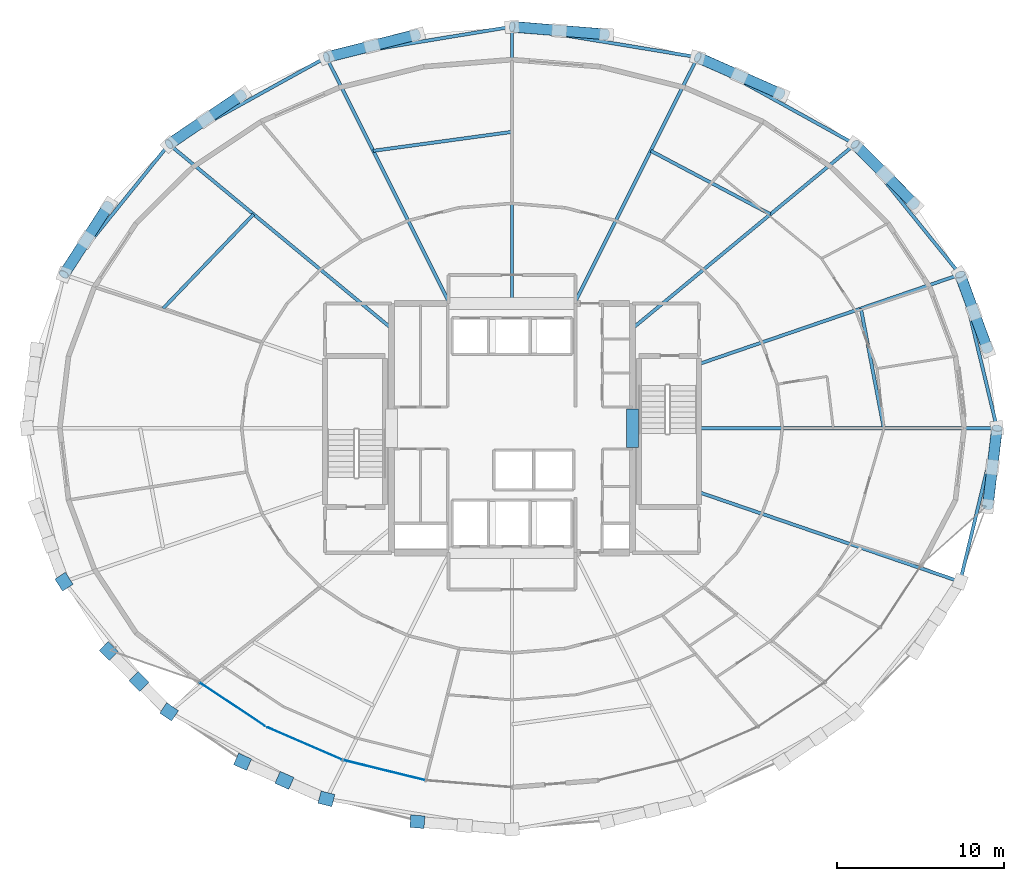
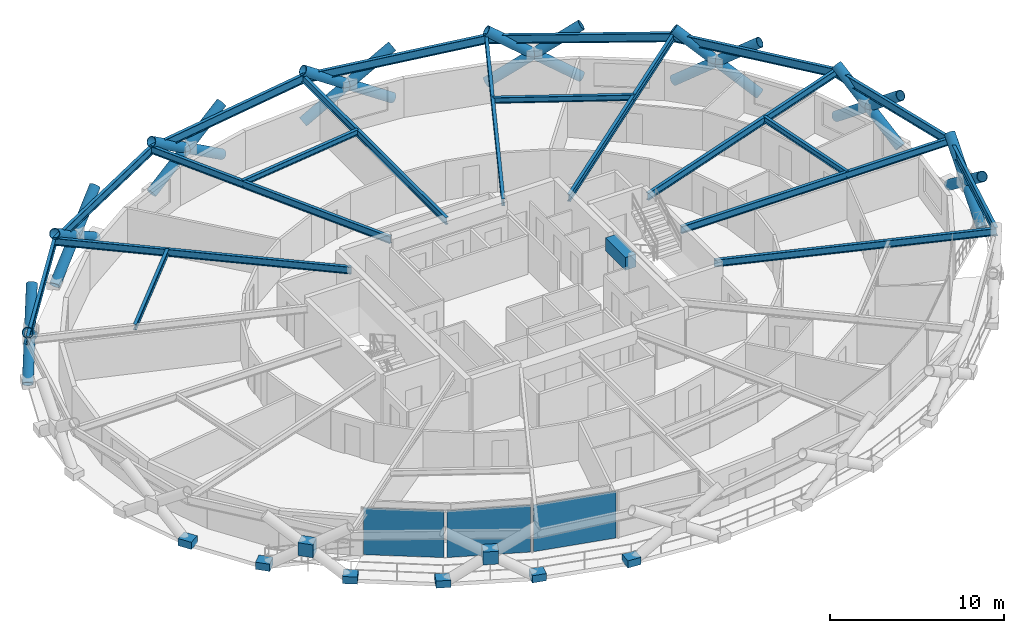
# One storey, part 11 of 19: 24 members, 21 beams, 11 plates, 1 element without a shape of its own.
"""IFC4 building model written with IfcOpenShell, lengths in metres."""

from ifc_helpers import new_model, si_unit, direction, frame, origin, origin_2d, place, context, subcontext, project, spatial, rectangle, hollow_circle, i_section, extrude, material, layer, layer_set, material_profile, profile_set, type_object, element, aggregate, save


model = new_model("IFC4")

# Units and contexts
model_context = context("Model", 3, precision=1e-05, world=origin(), true_north=direction((0.0, 1.0)))
body_context = subcontext(model_context, "Body", "Model", "MODEL_VIEW")
ifc_project = project(units=[si_unit("LENGTHUNIT", "METRE"), si_unit("AREAUNIT", "SQUARE_METRE"), si_unit("VOLUMEUNIT", "CUBIC_METRE"), si_unit("PLANEANGLEUNIT", "RADIAN"), si_unit("MASSUNIT", "GRAM", prefix="KILO")], contexts=[model_context])

# Site, building, storey
site_placement = place(None, origin())
site = spatial("IfcSite", under=ifc_project, at=site_placement, CompositionType="ELEMENT")
building_placement = place(site_placement, origin())
building = spatial("IfcBuilding", under=site, at=building_placement, Name="Veldorina Hangang Commons", CompositionType="ELEMENT")
storey_placement = place(building_placement, frame((0.0, 0.0, 77.199951171875)))
storey = spatial("IfcBuildingStorey", under=building, at=storey_placement, Name="L19", CompositionType="ELEMENT", Elevation=77.199951171875)

# Beams
ifc_material_1 = material(Name="Concrete C70/85", Category="concrete")
ifc_material_profile_1 = material_profile(ifc_material_1, rectangle(XDim=0.699951171875, YDim=0.89990234375, at=origin_2d()), Name="RC-CB-700x900")
ifc_profile_set_1 = profile_set([ifc_material_profile_1], Name="Concrete C70/85")
beam_type_1 = type_object("IfcBeamType", Name="BM-CB900", PredefinedType="LINTEL", material=ifc_profile_set_1)
beam_1_placement = place(storey_placement, frame((39.199951171875, 22.85009765625, 2.89013671875), z_axis=(0.0, 1.0, 0.0), x_axis=(-1.0, 0.0, 0.0)))
element("IfcBeam", 1, at=beam_1_placement, inside=storey, type_object=beam_type_1, Name="L19 E core coupling lintel beam", PredefinedType="LINTEL", context=body_context, shape_type="SweptSolid", body=[
    extrude(rectangle(XDim=0.699951171875, YDim=0.89990234375, at=origin_2d()), origin(), (0.0, 0.0, 1.0), 2.2998046875),
])
ifc_material_2 = material(Name="Steel SM420-TMC", Category="steel")
ifc_material_profile_2 = material_profile(ifc_material_2, i_section(OverallWidth=0.199951171875, OverallDepth=0.5, WebThickness=0.010009765625, FlangeThickness=0.01611328125, FilletRadius=0.01611328125, at=origin_2d()), Name="H-500x200x10x16")
ifc_profile_set_2 = profile_set([ifc_material_profile_2], Name="Steel SM420-TMC")
beam_type_2 = type_object("IfcBeamType", Name="BM-FG500", PredefinedType="BEAM", material=ifc_profile_set_2)
beam_2_placement = place(storey_placement, frame((43.179931640625, 24.0, 3.090087890625), z_axis=(1.0, 0.0, 0.0), x_axis=(0.0, 1.0, 0.0)))
element("IfcBeam", 2, at=beam_2_placement, inside=storey, type_object=beam_type_2, Name="L19 radial floor girder 01", PredefinedType="BEAM", context=body_context, shape_type="SweptSolid", body=[
    extrude(i_section(OverallWidth=0.199951171875, OverallDepth=0.5, WebThickness=0.010009765625, FlangeThickness=0.01611328125, FilletRadius=0.01611328125, at=origin_2d()), origin(), (0.0, 0.0, 1.0), 17.818603515625),
])
beam_3_placement = place(storey_placement, frame((43.179931640625, 27.83251953125, 3.090087890625), z_axis=(0.94596552532, 0.324267212197, 0.0), x_axis=(-0.324267212197, 0.94596552532, 0.0)))
element("IfcBeam", 3, at=beam_3_placement, inside=storey, type_object=beam_type_2, Name="L19 radial floor girder 02", PredefinedType="BEAM", context=body_context, shape_type="SweptSolid", body=[
    extrude(i_section(OverallWidth=0.199951171875, OverallDepth=0.5, WebThickness=0.010009765625, FlangeThickness=0.01611328125, FilletRadius=0.01611328125, at=origin_2d()), origin(), (0.0, 0.0, 1.0), 16.502685546875),
])
beam_4_placement = place(storey_placement, frame((39.199951171875, 29.95849609375, 3.090087890625), z_axis=(0.770399827966, 0.637561059876, 0.0), x_axis=(-0.637561059876, 0.770399827966, 0.0)))
element("IfcBeam", 4, at=beam_4_placement, inside=storey, type_object=beam_type_2, Name="L19 radial floor girder 03", PredefinedType="BEAM", context=body_context, shape_type="SweptSolid", body=[
    extrude(i_section(OverallWidth=0.199951171875, OverallDepth=0.5, WebThickness=0.010009765625, FlangeThickness=0.01611328125, FilletRadius=0.01611328125, at=origin_2d()), origin(), (0.0, 0.0, 1.0), 17.2705078125),
])
beam_5_placement = place(storey_placement, frame((35.728759765625, 31.449951171875, 3.090087890625), z_axis=(0.447581339317, 0.894243224573, 0.0), x_axis=(-0.894243224573, 0.447581339317, 0.0)))
element("IfcBeam", 5, at=beam_5_placement, inside=storey, type_object=beam_type_2, Name="L19 radial floor girder 04", PredefinedType="BEAM", context=body_context, shape_type="SweptSolid", body=[
    extrude(i_section(OverallWidth=0.199951171875, OverallDepth=0.5, WebThickness=0.010009765625, FlangeThickness=0.01611328125, FilletRadius=0.01611328125, at=origin_2d()), origin(), (0.0, 0.0, 1.0), 16.462646484375),
])
beam_6_placement = place(storey_placement, frame((32.0, 31.449951171875, 3.090087890625), z_axis=(0.0, 1.0, 0.0), x_axis=(-1.0, 0.0, 0.0)))
element("IfcBeam", 6, at=beam_6_placement, inside=storey, type_object=beam_type_2, Name="L19 radial floor girder 05", PredefinedType="BEAM", context=body_context, shape_type="SweptSolid", body=[
    extrude(i_section(OverallWidth=0.199951171875, OverallDepth=0.5, WebThickness=0.010009765625, FlangeThickness=0.01611328125, FilletRadius=0.01611328125, at=origin_2d()), origin(), (0.0, 0.0, 1.0), 16.548583984375),
])
beam_7_placement = place(storey_placement, frame((28.271240234375, 31.449951171875, 3.090087890625), z_axis=(-0.447581339317, 0.894243224573, 0.0), x_axis=(-0.894243224573, -0.447581339317, 0.0)))
element("IfcBeam", 7, at=beam_7_placement, inside=storey, type_object=beam_type_2, Name="L19 radial floor girder 06", PredefinedType="BEAM", context=body_context, shape_type="SweptSolid", body=[
    extrude(i_section(OverallWidth=0.199951171875, OverallDepth=0.5, WebThickness=0.010009765625, FlangeThickness=0.01611328125, FilletRadius=0.01611328125, at=origin_2d()), origin(), (0.0, 0.0, 1.0), 16.462646484375),
])
beam_8_placement = place(storey_placement, frame((24.800048828125, 29.95849609375, 3.090087890625), z_axis=(-0.770399827966, 0.637561059876, 0.0), x_axis=(-0.637561059876, -0.770399827966, 0.0)))
element("IfcBeam", 8, at=beam_8_placement, inside=storey, type_object=beam_type_2, Name="L19 radial floor girder 07", PredefinedType="BEAM", context=body_context, shape_type="SweptSolid", body=[
    extrude(i_section(OverallWidth=0.199951171875, OverallDepth=0.5, WebThickness=0.010009765625, FlangeThickness=0.01611328125, FilletRadius=0.01611328125, at=origin_2d()), origin(), (0.0, 0.0, 1.0), 17.2705078125),
])
beam_9_placement = place(storey_placement, frame((43.179931640625, 20.16748046875, 3.090087890625), z_axis=(0.94596552532, -0.324267212197, 0.0), x_axis=(0.324267212197, 0.94596552532, 0.0)))
element("IfcBeam", 9, at=beam_9_placement, inside=storey, type_object=beam_type_2, Name="L19 radial floor girder 16", PredefinedType="BEAM", context=body_context, shape_type="SweptSolid", body=[
    extrude(i_section(OverallWidth=0.199951171875, OverallDepth=0.5, WebThickness=0.010009765625, FlangeThickness=0.01611328125, FilletRadius=0.01611328125, at=origin_2d()), origin(), (0.0, 0.0, 1.0), 16.502685546875),
])
ifc_material_3 = material(Name="Steel SM355-TMC", Category="steel")
ifc_material_profile_3 = material_profile(ifc_material_3, i_section(OverallWidth=0.199951171875, OverallDepth=0.39990234375, WebThickness=0.008056640625, FlangeThickness=0.012939453125, FilletRadius=0.012939453125, at=origin_2d()), Name="H-400x200x8x13")
ifc_profile_set_3 = profile_set([ifc_material_profile_3], Name="Steel SM355-TMC")
beam_type_3 = type_object("IfcBeamType", Name="BM-JST400", PredefinedType="JOIST", material=ifc_profile_set_3)
beam_10_placement = place(storey_placement, frame((54.2275390625, 24.0, 3.14013671875), z_axis=(-0.187996560469, 0.982169686588, 0.0), x_axis=(-0.982169686588, -0.187996560469, 0.0)))
element("IfcBeam", 10, at=beam_10_placement, inside=storey, type_object=beam_type_3, Name="L19 secondary floor joist 01", PredefinedType="JOIST", context=body_context, shape_type="SweptSolid", body=[
    extrude(i_section(OverallWidth=0.199951171875, OverallDepth=0.39990234375, WebThickness=0.008056640625, FlangeThickness=0.012939453125, FilletRadius=0.012939453125, at=origin_2d()), origin(), (0.0, 0.0, 1.0), 7.2802734375),
])
beam_11_placement = place(storey_placement, frame((47.44921875, 36.785400390625, 3.14013671875), z_axis=(-0.883502384403, 0.468426661019, 0.0), x_axis=(-0.468426661019, -0.883502384403, 0.0)))
element("IfcBeam", 11, at=beam_11_placement, inside=storey, type_object=beam_type_3, Name="L19 secondary floor joist 03", PredefinedType="JOIST", context=body_context, shape_type="SweptSolid", body=[
    extrude(i_section(OverallWidth=0.199951171875, OverallDepth=0.39990234375, WebThickness=0.008056640625, FlangeThickness=0.012939453125, FilletRadius=0.012939453125, at=origin_2d()), origin(), (0.0, 0.0, 1.0), 8.09521484375),
])
beam_12_placement = place(storey_placement, frame((32.0, 41.710205078125, 3.14013671875), z_axis=(-0.990807978527, -0.13527582817, 0.0), x_axis=(0.13527582817, -0.990807978527, 0.0)))
element("IfcBeam", 12, at=beam_12_placement, inside=storey, type_object=beam_type_3, Name="L19 secondary floor joist 05", PredefinedType="JOIST", context=body_context, shape_type="SweptSolid", body=[
    extrude(i_section(OverallWidth=0.199951171875, OverallDepth=0.39990234375, WebThickness=0.008056640625, FlangeThickness=0.012939453125, FilletRadius=0.012939453125, at=origin_2d()), origin(), (0.0, 0.0, 1.0), 8.3740234375),
])
beam_13_placement = place(storey_placement, frame((16.55078125, 36.785400390625, 3.14013671875), z_axis=(-0.692535731731, -0.721383573611, 0.0), x_axis=(0.721383573611, -0.692535731731, 0.0)))
element("IfcBeam", 13, at=beam_13_placement, inside=storey, type_object=beam_type_3, Name="L19 secondary floor joist 07", PredefinedType="JOIST", context=body_context, shape_type="SweptSolid", body=[
    extrude(i_section(OverallWidth=0.199951171875, OverallDepth=0.39990234375, WebThickness=0.008056640625, FlangeThickness=0.012939453125, FilletRadius=0.012939453125, at=origin_2d()), origin(), (0.0, 0.0, 1.0), 7.811279296875),
])
ifc_material_profile_4 = material_profile(ifc_material_2, i_section(OverallWidth=0.199951171875, OverallDepth=0.60009765625, WebThickness=0.010986328125, FlangeThickness=0.01708984375, FilletRadius=0.01806640625, at=origin_2d()), Name="H-600x200x11x17")
ifc_profile_set_4 = profile_set([ifc_material_profile_4], Name="Steel SM420-TMC")
beam_type_4 = type_object("IfcBeamType", Name="BM-RB600", PredefinedType="BEAM", material=ifc_profile_set_4)
beam_14_placement = place(storey_placement, frame((60.99853515625, 24.0, 3.0400390625), z_axis=(-0.233713139846, 0.972305594072, 0.0), x_axis=(-0.972305594072, -0.233713139846, 0.0)))
element("IfcBeam", 14, at=beam_14_placement, inside=storey, type_object=beam_type_4, Name="L19 perimeter hoop ring beam 00", PredefinedType="BEAM", context=body_context, shape_type="SweptSolid", body=[
    extrude(i_section(OverallWidth=0.199951171875, OverallDepth=0.60009765625, WebThickness=0.010986328125, FlangeThickness=0.01708984375, FilletRadius=0.01806640625, at=origin_2d()), origin(), (0.0, 0.0, 1.0), 9.4453125),
])
beam_15_placement = place(storey_placement, frame((58.791015625, 33.183837890625, 3.0400390625), z_axis=(-0.628184894651, 0.778064096416, 0.0), x_axis=(-0.778064096416, -0.628184894651, 0.0)))
element("IfcBeam", 15, at=beam_15_placement, inside=storey, type_object=beam_type_4, Name="L19 perimeter hoop ring beam 02", PredefinedType="BEAM", context=body_context, shape_type="SweptSolid", body=[
    extrude(i_section(OverallWidth=0.199951171875, OverallDepth=0.60009765625, WebThickness=0.010986328125, FlangeThickness=0.01708984375, FilletRadius=0.01806640625, at=origin_2d()), origin(), (0.0, 0.0, 1.0), 10.00634765625),
])
beam_16_placement = place(storey_placement, frame((52.505126953125, 40.969482421875, 3.0400390625), z_axis=(-0.875122851808, 0.483900810336, 0.0), x_axis=(-0.483900810336, -0.875122851808, 0.0)))
element("IfcBeam", 16, at=beam_16_placement, inside=storey, type_object=beam_type_4, Name="L19 perimeter hoop ring beam 04", PredefinedType="BEAM", context=body_context, shape_type="SweptSolid", body=[
    extrude(i_section(OverallWidth=0.199951171875, OverallDepth=0.60009765625, WebThickness=0.010986328125, FlangeThickness=0.01708984375, FilletRadius=0.01806640625, at=origin_2d()), origin(), (0.0, 0.0, 1.0), 10.75048828125),
])
for number, where, z_axis, x_axis, name in (
    (17, (43.09716796875, 46.171630859375, 3.0400390625), (-0.986718189619, 0.162441417981, 0.0), (-0.162441417981, -0.986718189619, 0.0), "L19 perimeter hoop ring beam 06"),
    (18, (32.0, 47.99853515625, 3.0400390625), (-0.986718189619, -0.162441417981, 0.0), (0.162441417981, -0.986718189619, 0.0), "L19 perimeter hoop ring beam 08"),
):
    element("IfcBeam", number, at=place(storey_placement, frame(where, z_axis=z_axis, x_axis=x_axis)), inside=storey, type_object=beam_type_4, Name=name, PredefinedType="BEAM", context=body_context, shape_type="SweptSolid", body=[
        extrude(i_section(OverallWidth=0.199951171875, OverallDepth=0.60009765625, WebThickness=0.010986328125, FlangeThickness=0.01708984375, FilletRadius=0.01806640625, at=origin_2d()), origin(), (0.0, 0.0, 1.0), 11.24658203125),
    ])
beam_17_placement = place(storey_placement, frame((20.90283203125, 46.171630859375, 3.0400390625), z_axis=(-0.875122851808, -0.483900810336, 0.0), x_axis=(0.483900810336, -0.875122851808, 0.0)))
element("IfcBeam", 19, at=beam_17_placement, inside=storey, type_object=beam_type_4, Name="L19 perimeter hoop ring beam 10", PredefinedType="BEAM", context=body_context, shape_type="SweptSolid", body=[
    extrude(i_section(OverallWidth=0.199951171875, OverallDepth=0.60009765625, WebThickness=0.010986328125, FlangeThickness=0.01708984375, FilletRadius=0.01806640625, at=origin_2d()), origin(), (0.0, 0.0, 1.0), 10.75048828125),
])
beam_18_placement = place(storey_placement, frame((11.494873046875, 40.969482421875, 3.0400390625), z_axis=(-0.628184894651, -0.778064096416, 0.0), x_axis=(0.778064096416, -0.628184894651, 0.0)))
element("IfcBeam", 20, at=beam_18_placement, inside=storey, type_object=beam_type_4, Name="L19 perimeter hoop ring beam 12", PredefinedType="BEAM", context=body_context, shape_type="SweptSolid", body=[
    extrude(i_section(OverallWidth=0.199951171875, OverallDepth=0.60009765625, WebThickness=0.010986328125, FlangeThickness=0.01708984375, FilletRadius=0.01806640625, at=origin_2d()), origin(), (0.0, 0.0, 1.0), 10.00634765625),
])
beam_19_placement = place(storey_placement, frame((58.791015625, 14.816162109375, 3.0400390625), z_axis=(0.233713139846, 0.972305594072, 0.0), x_axis=(-0.972305594072, 0.233713139846, 0.0)))
element("IfcBeam", 21, at=beam_19_placement, inside=storey, type_object=beam_type_4, Name="L19 perimeter hoop ring beam 30", PredefinedType="BEAM", context=body_context, shape_type="SweptSolid", body=[
    extrude(i_section(OverallWidth=0.199951171875, OverallDepth=0.60009765625, WebThickness=0.010986328125, FlangeThickness=0.01708984375, FilletRadius=0.01806640625, at=origin_2d()), origin(), (0.0, 0.0, 1.0), 9.4453125),
])

# Members
ifc_material_4 = material(Name="Steel SM460-TMC", Category="steel")
ifc_material_profile_5 = material_profile(ifc_material_4, hollow_circle(Radius=0.324951171875, WallThickness=0.031982421875, at=origin_2d()), Name="CHS-650x32")
ifc_profile_set_5 = profile_set([ifc_material_profile_5], Name="Steel SM460-TMC")
member_type = type_object("IfcMemberType", Name="DG-CHS650", PredefinedType="BRACE", material=ifc_profile_set_5)
member_1_placement = place(storey_placement, frame((60.43359375, 28.680419921875, 0.0), z_axis=(-0.27375042101, 0.751286487175, 0.600524205328), x_axis=(-0.939570169, -0.342356389637, 0.0)))
element("IfcMember", 22, at=member_1_placement, inside=storey, type_object=member_type, Name="L19 continuous perimeter diagrid brace 01", PredefinedType="BRACE", context=body_context, shape_type="SweptSolid", body=[
    extrude(hollow_circle(Radius=0.324951171875, WallThickness=0.031982421875, at=origin_2d()), origin(), (0.0, 0.0, 1.0), 5.994873046875),
])
member_2_placement = place(storey_placement, frame((58.78369140625, 33.180908203125, 0.0), z_axis=(0.276751088981, -0.750273994024, 0.600414663911), x_axis=(0.938207415241, 0.346073469061, 0.0)))
element("IfcMember", 23, at=member_2_placement, inside=storey, type_object=member_type, Name="L19 split perimeter diagrid lower brace 02", PredefinedType="BRACE", context=body_context, shape_type="SweptSolid", body=[
    extrude(hollow_circle(Radius=0.324951171875, WallThickness=0.031982421875, at=origin_2d()), origin(), (0.0, 0.0, 1.0), 2.99755859375),
])
member_3_placement = place(storey_placement, frame((59.61328125, 30.931884765625, 1.7998046875), z_axis=(0.276673309381, -0.750307400218, 0.600408764971), x_axis=(0.938243992915, 0.345974290605, 0.0)))
element("IfcMember", 24, at=member_3_placement, inside=storey, type_object=member_type, Name="L19 split perimeter diagrid upper brace 02", PredefinedType="BRACE", context=body_context, shape_type="SweptSolid", body=[
    extrude(hollow_circle(Radius=0.324951171875, WallThickness=0.031982421875, at=origin_2d()), origin(), (0.0, 0.0, 1.0), 2.99853515625),
])
member_4_placement = place(storey_placement, frame((56.104736328125, 37.32861328125, 0.0), z_axis=(-0.574948923981, 0.581891997826, 0.575182960178), x_axis=(-0.711337850209, -0.702850242129, 0.0)))
element("IfcMember", 25, at=member_4_placement, inside=storey, type_object=member_type, Name="L19 continuous perimeter diagrid brace 03", PredefinedType="BRACE", context=body_context, shape_type="SweptSolid", body=[
    extrude(hollow_circle(Radius=0.324951171875, WallThickness=0.031982421875, at=origin_2d()), origin(), (0.0, 0.0, 1.0), 6.259033203125),
])
member_5_placement = place(storey_placement, frame((52.49951171875, 40.9638671875, 0.0), z_axis=(0.577164973201, -0.579817170672, 0.575058816386), x_axis=(0.708725848857, 0.705483997807, 0.0)))
element("IfcMember", 26, at=member_5_placement, inside=storey, type_object=member_type, Name="L19 split perimeter diagrid lower brace 04", PredefinedType="BRACE", context=body_context, shape_type="SweptSolid", body=[
    extrude(hollow_circle(Radius=0.324951171875, WallThickness=0.031982421875, at=origin_2d()), origin(), (0.0, 0.0, 1.0), 3.1298828125),
])
member_6_placement = place(storey_placement, frame((54.305908203125, 39.149169921875, 1.7998046875), z_axis=(0.577086916573, -0.579894366437, 0.575059313893), x_axis=(0.708820510267, 0.705388888646, 0.0)))
element("IfcMember", 27, at=member_6_placement, inside=storey, type_object=member_type, Name="L19 split perimeter diagrid upper brace 04", PredefinedType="BRACE", context=body_context, shape_type="SweptSolid", body=[
    extrude(hollow_circle(Radius=0.324951171875, WallThickness=0.031982421875, at=origin_2d()), origin(), (0.0, 0.0, 1.0), 3.130615234375),
])
member_7_placement = place(storey_placement, frame((48.106201171875, 43.947509765625, 0.0), z_axis=(-0.76378524103, 0.339410463938, 0.549028817599), x_axis=(-0.406088866927, -0.913833591064, 0.0)))
element("IfcMember", 28, at=member_7_placement, inside=storey, type_object=member_type, Name="L19 continuous perimeter diagrid brace 05", PredefinedType="BRACE", context=body_context, shape_type="SweptSolid", body=[
    extrude(hollow_circle(Radius=0.324951171875, WallThickness=0.031982421875, at=origin_2d()), origin(), (0.0, 0.0, 1.0), 6.55712890625),
])
member_8_placement = place(storey_placement, frame((43.09423828125, 46.164306640625, 0.0), z_axis=(0.76501625884, -0.336788839667, 0.548929322578), x_axis=(0.402920712197, 0.915234887711, 0.0)))
element("IfcMember", 29, at=member_8_placement, inside=storey, type_object=member_type, Name="L19 split perimeter diagrid lower brace 06", PredefinedType="BRACE", context=body_context, shape_type="SweptSolid", body=[
    extrude(hollow_circle(Radius=0.324951171875, WallThickness=0.031982421875, at=origin_2d()), origin(), (0.0, 0.0, 1.0), 3.27880859375),
])
member_9_placement = place(storey_placement, frame((45.6025390625, 45.06005859375, 1.7998046875), z_axis=(0.765008000563, -0.336835769441, 0.548912036212), x_axis=(0.40297138432, 0.915212578267, 0.0)))
element("IfcMember", 30, at=member_9_placement, inside=storey, type_object=member_type, Name="L19 split perimeter diagrid upper brace 06", PredefinedType="BRACE", context=body_context, shape_type="SweptSolid", body=[
    extrude(hollow_circle(Radius=0.324951171875, WallThickness=0.031982421875, at=origin_2d()), origin(), (0.0, 0.0, 1.0), 3.27978515625),
])
member_10_placement = place(storey_placement, frame((37.65576171875, 47.529541015625, 0.0), z_axis=(-0.841526156152, 0.070000038975, 0.535661948486), x_axis=(-0.082895953801, -0.996558207454, 0.0)))
element("IfcMember", 31, at=member_10_placement, inside=storey, type_object=member_type, Name="L19 continuous perimeter diagrid brace 07", PredefinedType="BRACE", context=body_context, shape_type="SweptSolid", body=[
    extrude(hollow_circle(Radius=0.324951171875, WallThickness=0.031982421875, at=origin_2d()), origin(), (0.0, 0.0, 1.0), 6.720947265625),
])
member_11_placement = place(storey_placement, frame((32.0, 47.990478515625, 0.0), z_axis=(0.841766914433, -0.067137904958, 0.535650038256), x_axis=(0.079505825365, 0.996834401359, 0.0)))
element("IfcMember", 32, at=member_11_placement, inside=storey, type_object=member_type, Name="L19 split perimeter diagrid lower brace 08", PredefinedType="BRACE", context=body_context, shape_type="SweptSolid", body=[
    extrude(hollow_circle(Radius=0.324951171875, WallThickness=0.031982421875, at=origin_2d()), origin(), (0.0, 0.0, 1.0), 3.360107421875),
])
member_12_placement = place(storey_placement, frame((34.828369140625, 47.764892578125, 1.7998046875), z_axis=(0.841777868329, -0.067260877217, 0.535617395897), x_axis=(0.079649498221, 0.996822931836, 0.0)))
element("IfcMember", 33, at=member_12_placement, inside=storey, type_object=member_type, Name="L19 split perimeter diagrid upper brace 08", PredefinedType="BRACE", context=body_context, shape_type="SweptSolid", body=[
    extrude(hollow_circle(Radius=0.324951171875, WallThickness=0.031982421875, at=origin_2d()), origin(), (0.0, 0.0, 1.0), 3.361083984375),
])
member_13_placement = place(storey_placement, frame((26.34423828125, 47.529541015625, 0.0), z_axis=(-0.816568173588, -0.203528454195, 0.540178291137), x_axis=(0.241849336202, -0.970313814484, 0.0)))
element("IfcMember", 34, at=member_13_placement, inside=storey, type_object=member_type, Name="L19 continuous perimeter diagrid brace 09", PredefinedType="BRACE", context=body_context, shape_type="SweptSolid", body=[
    extrude(hollow_circle(Radius=0.324951171875, WallThickness=0.031982421875, at=origin_2d()), origin(), (0.0, 0.0, 1.0), 6.66455078125),
])
member_14_placement = place(storey_placement, frame((20.90576171875, 46.164306640625, 0.0), z_axis=(0.815841319438, 0.206287012864, 0.540230145235), x_axis=(-0.2451369798, 0.969488453327, 0.0)))
element("IfcMember", 35, at=member_14_placement, inside=storey, type_object=member_type, Name="L19 split perimeter diagrid lower brace 10", PredefinedType="BRACE", context=body_context, shape_type="SweptSolid", body=[
    extrude(hollow_circle(Radius=0.324951171875, WallThickness=0.031982421875, at=origin_2d()), origin(), (0.0, 0.0, 1.0), 3.33154296875),
])
member_15_placement = place(storey_placement, frame((23.623779296875, 46.8515625, 1.7998046875), z_axis=(0.815825735773, 0.206246021213, 0.540269328746), x_axis=(-0.245095594995, 0.969498916613, 0.0)))
element("IfcMember", 36, at=member_15_placement, inside=storey, type_object=member_type, Name="L19 split perimeter diagrid upper brace 10", PredefinedType="BRACE", context=body_context, shape_type="SweptSolid", body=[
    extrude(hollow_circle(Radius=0.324951171875, WallThickness=0.031982421875, at=origin_2d()), origin(), (0.0, 0.0, 1.0), 3.332275390625),
])
member_16_placement = place(storey_placement, frame((15.893798828125, 43.947509765625, 0.0), z_axis=(-0.685635703839, -0.463875049213, 0.561002335413), x_axis=(0.560361297353, -0.828248281875, 0.0)))
element("IfcMember", 37, at=member_16_placement, inside=storey, type_object=member_type, Name="L19 continuous perimeter diagrid brace 11", PredefinedType="BRACE", context=body_context, shape_type="SweptSolid", body=[
    extrude(hollow_circle(Radius=0.324951171875, WallThickness=0.031982421875, at=origin_2d()), origin(), (0.0, 0.0, 1.0), 6.417236328125),
])
member_17_placement = place(storey_placement, frame((11.50048828125, 40.9638671875, 0.0), z_axis=(0.683923389368, 0.466224903715, 0.561144488194), x_axis=(-0.563265484119, 0.826275979561, 0.0)))
element("IfcMember", 38, at=member_17_placement, inside=storey, type_object=member_type, Name="L19 split perimeter diagrid lower brace 12", PredefinedType="BRACE", context=body_context, shape_type="SweptSolid", body=[
    extrude(hollow_circle(Radius=0.324951171875, WallThickness=0.031982421875, at=origin_2d()), origin(), (0.0, 0.0, 1.0), 3.207275390625),
])
member_18_placement = place(storey_placement, frame((13.694091796875, 42.459228515625, 1.7998046875), z_axis=(0.683913693134, 0.466290955888, 0.561101421136), x_axis=(-0.563325414814, 0.82623512212, 0.0)))
element("IfcMember", 39, at=member_18_placement, inside=storey, type_object=member_type, Name="L19 split perimeter diagrid upper brace 12", PredefinedType="BRACE", context=body_context, shape_type="SweptSolid", body=[
    extrude(hollow_circle(Radius=0.324951171875, WallThickness=0.031982421875, at=origin_2d()), origin(), (0.0, 0.0, 1.0), 3.20849609375),
])
member_19_placement = place(storey_placement, frame((7.895263671875, 37.32861328125, 0.0), z_axis=(-0.439729625566, -0.678028012897, 0.588995645253), x_axis=(0.839002146673, -0.544128107966, 0.0)))
element("IfcMember", 40, at=member_19_placement, inside=storey, type_object=member_type, Name="L19 continuous perimeter diagrid brace 13", PredefinedType="BRACE", context=body_context, shape_type="SweptSolid", body=[
    extrude(hollow_circle(Radius=0.324951171875, WallThickness=0.031982421875, at=origin_2d()), origin(), (0.0, 0.0, 1.0), 6.1123046875),
])
member_20_placement = place(storey_placement, frame((5.21630859375, 33.180908203125, 0.0), z_axis=(0.437090318534, 0.679571947065, 0.58918080604), x_axis=(-0.841053115985, 0.540952545139, 0.0)))
element("IfcMember", 41, at=member_20_placement, inside=storey, type_object=member_type, Name="L19 split perimeter diagrid lower brace 14", PredefinedType="BRACE", context=body_context, shape_type="SweptSolid", body=[
    extrude(hollow_circle(Radius=0.324951171875, WallThickness=0.031982421875, at=origin_2d()), origin(), (0.0, 0.0, 1.0), 3.0546875),
])
member_21_placement = place(storey_placement, frame((6.551513671875, 35.2568359375, 1.7998046875), z_axis=(0.43714812847, 0.679608758936, 0.589095449441), x_axis=(-0.841033897246, 0.54098242456, 0.0)))
element("IfcMember", 42, at=member_21_placement, inside=storey, type_object=member_type, Name="L19 split perimeter diagrid upper brace 14", PredefinedType="BRACE", context=body_context, shape_type="SweptSolid", body=[
    extrude(hollow_circle(Radius=0.324951171875, WallThickness=0.031982421875, at=origin_2d()), origin(), (0.0, 0.0, 1.0), 3.055908203125),
])
member_22_placement = place(storey_placement, frame((60.43359375, 19.319580078125, 0.0), z_axis=(0.095484234797, 0.789020804009, 0.606901088932), x_axis=(-0.992757007872, 0.120139599304, 0.0)))
element("IfcMember", 43, at=member_22_placement, inside=storey, type_object=member_type, Name="L19 continuous perimeter diagrid brace 31", PredefinedType="BRACE", context=body_context, shape_type="SweptSolid", body=[
    extrude(hollow_circle(Radius=0.324951171875, WallThickness=0.031982421875, at=origin_2d()), origin(), (0.0, 0.0, 1.0), 5.931884765625),
])
member_23_placement = place(storey_placement, frame((60.990478515625, 24.0, 0.0), z_axis=(-0.092302038801, -0.789384162339, 0.606920899197), x_axis=(0.993233095531, -0.116137926368, 0.0)))
element("IfcMember", 44, at=member_23_placement, inside=storey, type_object=member_type, Name="L19 split perimeter diagrid lower brace 00", PredefinedType="BRACE", context=body_context, shape_type="SweptSolid", body=[
    extrude(hollow_circle(Radius=0.324951171875, WallThickness=0.031982421875, at=origin_2d()), origin(), (0.0, 0.0, 1.0), 2.965087890625),
])
member_24_placement = place(storey_placement, frame((60.716796875, 21.659423828125, 1.799560546875), z_axis=(-0.092341209762, -0.78934451232, 0.606966508014), x_axis=(0.993226735573, -0.116192305006, 0.0)))
element("IfcMember", 45, at=member_24_placement, inside=storey, type_object=member_type, Name="L19 split perimeter diagrid upper brace 00", PredefinedType="BRACE", context=body_context, shape_type="SweptSolid", body=[
    extrude(hollow_circle(Radius=0.324951171875, WallThickness=0.031982421875, at=origin_2d()), origin(), (0.0, 0.0, 1.0), 2.966552734375),
])

# Curtain wall, plates
ifc_material_5 = material(Name="Glass Low-E Triple IGU", Category="glass")
ifc_layer_1 = layer(ifc_material_5, 0.179931640625)
ifc_layer_set_1 = layer_set([ifc_layer_1], Name="Glass Low-E Triple IGU")
curtain_wall_type = type_object("IfcCurtainWallType", Name="CW-SYS-Z1", PredefinedType="NOTDEFINED", material=ifc_layer_set_1)
curtain_wall_placement = place(storey_placement, origin())
curtain_wall = element("IfcCurtainWall", 46, at=curtain_wall_placement, inside=storey, type_object=curtain_wall_type, Name="L19 unitised curtain wall CW-L19-R1", PredefinedType="NOTDEFINED")
ifc_layer_2 = layer(ifc_material_5, 0.0400390625)
ifc_layer_set_2 = layer_set([ifc_layer_2], Name="Glass Low-E Triple IGU")
plate_type_1 = type_object("IfcPlateType", Name="CW-PNL-VIS", PredefinedType="CURTAIN_PANEL", material=ifc_layer_set_2)
plate_1_placement = place(storey_placement, frame((15.2880859375, 7.48291015625, 0.01513671875), z_axis=(0.0, 0.0, 1.0), x_axis=(0.832428327075, -0.554132728038, 0.0)))
plate_1 = element("IfcPlate", 47, at=plate_1_placement, type_object=plate_type_1, Name="CW-L19-R1 facet 1 glazed vision panel", PredefinedType="CURTAIN_PANEL", context=body_context, shape_type="SweptSolid", body=[
    extrude(rectangle(XDim=4.638671875, YDim=0.0400390625, at=origin_2d()), origin(), (0.0, 0.0, 1.0), 3.27001953125),
])
plate_2_placement = place(storey_placement, frame((19.581787109375, 5.15576171875, 0.01513671875), z_axis=(0.0, 0.0, 1.0), x_axis=(0.917491025402, -0.397756481162, 0.0)))
plate_2 = element("IfcPlate", 48, at=plate_2_placement, type_object=plate_type_1, Name="CW-L19-R1 facet 2 glazed vision panel", PredefinedType="CURTAIN_PANEL", context=body_context, shape_type="SweptSolid", body=[
    extrude(rectangle(XDim=4.80810546875, YDim=0.0400390625, at=origin_2d()), origin(), (0.0, 0.0, 1.0), 3.27001953125),
])
plate_3_placement = place(storey_placement, frame((24.352783203125, 3.552978515625, 0.01513671875), z_axis=(0.0, 0.0, 1.0), x_axis=(0.9710384482, -0.238923276634, 0.0)))
plate_3 = element("IfcPlate", 49, at=plate_3_placement, type_object=plate_type_1, Name="CW-L19-R1 facet 3 glazed vision panel", PredefinedType="CURTAIN_PANEL", context=body_context, shape_type="SweptSolid", body=[
    extrude(rectangle(XDim=4.933837890625, YDim=0.0400390625, at=origin_2d()), origin(), (0.0, 0.0, 1.0), 3.27001953125),
])
aggregate(curtain_wall, [plate_1, plate_2, plate_3])

# Plates
ifc_layer_3 = layer(ifc_material_4, 0.035888671875)
ifc_layer_set_3 = layer_set([ifc_layer_3], Name="Steel SM460-TMC")
plate_type_2 = type_object("IfcPlateType", Name="PL-STAR-36", PredefinedType="USERDEFINED", material=ifc_layer_set_3)
for number, where, z_axis, x_axis, name in (
    (50, (5.21630859375, 14.819091796875, -0.08984375), (0.0, 0.0, 1.0), (0.542558830563, -0.840017806584, 0.0), "L19 diagrid star-node gusset plate 18"),
    (51, (7.895263671875, 10.67138671875, -0.08984375), (0.0, 0.0, 1.0), (0.704175842283, -0.71002562147, 0.0), "L19 diagrid star-node gusset plate 19"),
):
    element("IfcPlate", number, at=place(storey_placement, frame(where, z_axis=z_axis, x_axis=x_axis)), inside=storey, type_object=plate_type_2, Name=name, ObjectType="GUSSET PLATE", PredefinedType="USERDEFINED", context=body_context, shape_type="SweptSolid", body=[
        extrude(rectangle(XDim=0.85009765625, YDim=0.75, at=origin_2d()), origin(), (0.0, 0.0, 1.0), 0.5),
    ])
plate_4_placement = place(storey_placement, frame((9.694091796875, 8.850830078125, 1.349853515625), z_axis=(0.0, 0.0, 1.0), x_axis=(0.704175842283, -0.71002562147, 0.0)))
element("IfcPlate", 52, at=plate_4_placement, inside=storey, type_object=plate_type_2, Name="L19 diagrid X-crossing star-node gusset plate 19", ObjectType="GUSSET PLATE", PredefinedType="USERDEFINED", context=body_context, shape_type="SweptSolid", body=[
    extrude(rectangle(XDim=0.89990234375, YDim=0.780029296875, at=origin_2d()), origin(), (0.0, 0.0, 1.0), 0.89990234375),
])
for number, where, z_axis, x_axis, name in (
    (53, (11.50048828125, 7.0361328125, -0.08984375), (0.0, 0.0, 1.0), (0.827247311362, -0.561837953368, 0.0), "L19 diagrid star-node gusset plate 20"),
    (54, (15.893798828125, 4.052490234375, -0.08984375), (0.0, 0.0, 1.0), (0.914536574598, -0.404503218432, 0.0), "L19 diagrid star-node gusset plate 21"),
):
    element("IfcPlate", number, at=place(storey_placement, frame(where, z_axis=z_axis, x_axis=x_axis)), inside=storey, type_object=plate_type_2, Name=name, ObjectType="GUSSET PLATE", PredefinedType="USERDEFINED", context=body_context, shape_type="SweptSolid", body=[
        extrude(rectangle(XDim=0.85009765625, YDim=0.75, at=origin_2d()), origin(), (0.0, 0.0, 1.0), 0.5),
    ])
plate_5_placement = place(storey_placement, frame((18.3974609375, 2.93994140625, 1.349853515625), z_axis=(0.0, 0.0, 1.0), x_axis=(0.914536574598, -0.404503218432, 0.0)))
element("IfcPlate", 55, at=plate_5_placement, inside=storey, type_object=plate_type_2, Name="L19 diagrid X-crossing star-node gusset plate 21", ObjectType="GUSSET PLATE", PredefinedType="USERDEFINED", context=body_context, shape_type="SweptSolid", body=[
    extrude(rectangle(XDim=0.89990234375, YDim=0.780029296875, at=origin_2d()), origin(), (0.0, 0.0, 1.0), 0.89990234375),
])
for number, where, z_axis, x_axis, name in (
    (56, (20.90576171875, 1.835693359375, -0.08984375), (0.0, 0.0, 1.0), (0.969906020903, -0.243479589732, 0.0), "L19 diagrid star-node gusset plate 22"),
    (57, (26.34423828125, 0.470458984375, -0.08984375), (0.0, 0.0, 1.0), (0.996694347809, -0.081242704565, 0.0), "L19 diagrid star-node gusset plate 23"),
):
    element("IfcPlate", number, at=place(storey_placement, frame(where, z_axis=z_axis, x_axis=x_axis)), inside=storey, type_object=plate_type_2, Name=name, ObjectType="GUSSET PLATE", PredefinedType="USERDEFINED", context=body_context, shape_type="SweptSolid", body=[
        extrude(rectangle(XDim=0.85009765625, YDim=0.75, at=origin_2d()), origin(), (0.0, 0.0, 1.0), 0.5),
    ])

save(model, "model.ifc")
